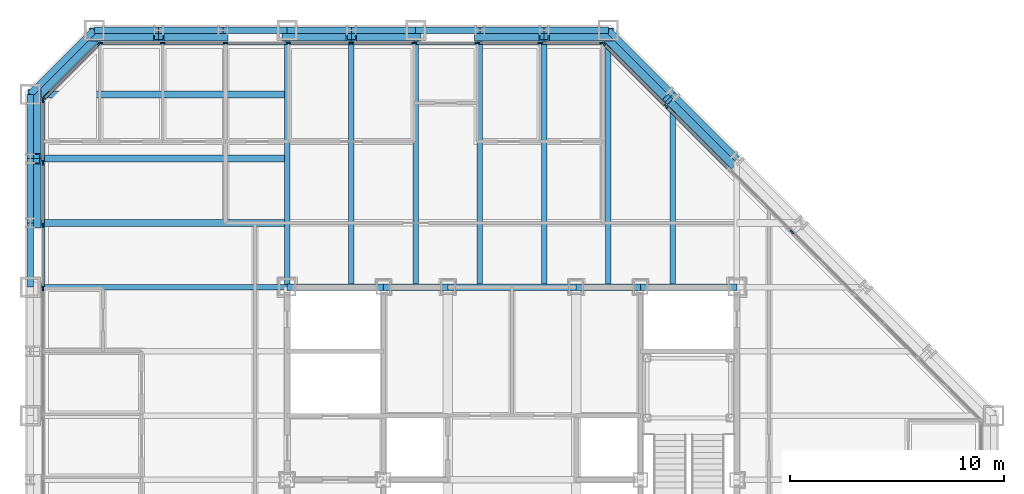
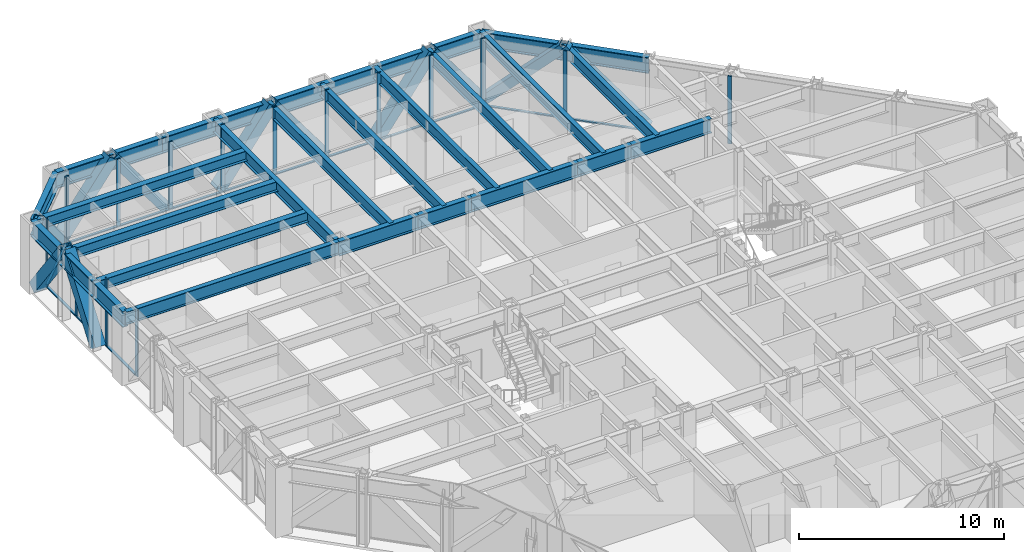
# One storey, part 7 of 16: 43 members, 30 beams, 4 elements without a shape of their own.
"""IFC4 building model written with IfcOpenShell, lengths in metres."""

from ifc_helpers import new_model, si_unit, direction, frame, origin, origin_2d, place, context, subcontext, project, spatial, rectangle, hollow_rectangle, i_section, extrude, material, layer, layer_set, material_profile, profile_set, type_object, element, aggregate, save


model = new_model("IFC4")

# Units and contexts
model_context = context("Model", 3, precision=1e-05, world=origin(), true_north=direction((0.0, 1.0)))
body_context = subcontext(model_context, "Body", "Model", "MODEL_VIEW")
ifc_project = project(units=[si_unit("LENGTHUNIT", "METRE"), si_unit("AREAUNIT", "SQUARE_METRE"), si_unit("VOLUMEUNIT", "CUBIC_METRE"), si_unit("PLANEANGLEUNIT", "RADIAN"), si_unit("MASSUNIT", "GRAM", prefix="KILO")], contexts=[model_context])

# Site, building, storey
site_placement = place(None, origin())
site = spatial("IfcSite", under=ifc_project, at=site_placement, CompositionType="ELEMENT")
building_placement = place(site_placement, origin())
building = spatial("IfcBuilding", under=site, at=building_placement, Name="Chuquiago Exchange Tower", CompositionType="ELEMENT")
storey_placement = place(building_placement, frame((0.0, 0.0, 115.199951171875)))
storey = spatial("IfcBuildingStorey", under=building, at=storey_placement, Name="L24", CompositionType="ELEMENT", Elevation=115.199951171875)

# Beams
ifc_material_1 = material(Name="Steel ASTM A992", Category="steel")
ifc_material_profile_1 = material_profile(ifc_material_1, i_section(OverallWidth=0.25390625, OverallDepth=0.683349609375, WebThickness=0.012451171875, FlangeThickness=0.018798828125, at=origin_2d()), Name="W27X94")
ifc_profile_set_1 = profile_set([ifc_material_profile_1], Name="Steel ASTM A992")
beam_type_1 = type_object("IfcBeamType", Name="B1 W27X94", PredefinedType="BEAM", material=ifc_profile_set_1)
for number, where, z_axis, x_axis, name in (
    (1, (15.0, 33.0, 3.698486328125), (0.0, 1.0, 0.0), (-1.0, 0.0, 0.0), "FB-L25-infill-15_33-15_45-0"),
    (2, (18.0, 33.0, 3.698486328125), (0.0, 1.0, 0.0), (-1.0, 0.0, 0.0), "FB-L25-infill-18_33-18_45-0"),
    (3, (21.0, 33.0, 3.698486328125), (0.0, 1.0, 0.0), (-1.0, 0.0, 0.0), "FB-L25-infill-21_33-21_45-0"),
    (4, (24.0, 33.0, 3.698486328125), (0.0, 1.0, 0.0), (-1.0, 0.0, 0.0), "FB-L25-infill-24_33-24_45-0"),
    (5, (27.0, 33.0, 3.698486328125), (0.0, 1.0, 0.0), (-1.0, 0.0, 0.0), "FB-L25-infill-27_33-27_45-0"),
):
    element("IfcBeam", number, at=place(storey_placement, frame(where, z_axis=z_axis, x_axis=x_axis)), inside=storey, type_object=beam_type_1, Name=name, PredefinedType="BEAM", context=body_context, shape_type="SweptSolid", body=[
        extrude(i_section(OverallWidth=0.25390625, OverallDepth=0.683349609375, WebThickness=0.012451171875, FlangeThickness=0.018798828125, at=origin_2d()), origin(), (0.0, 0.0, 1.0), 12.0),
    ])
beam_1_placement = place(storey_placement, frame((30.0, 33.0, 3.698486328125), z_axis=(0.0, 1.0, 0.0), x_axis=(-1.0, 0.0, 0.0)))
element("IfcBeam", 6, at=beam_1_placement, inside=storey, type_object=beam_type_1, Name="FB-L25-infill-30_33-30_42-0", PredefinedType="BEAM", context=body_context, shape_type="SweptSolid", body=[
    extrude(i_section(OverallWidth=0.25390625, OverallDepth=0.683349609375, WebThickness=0.012451171875, FlangeThickness=0.018798828125, at=origin_2d()), origin(), (0.0, 0.0, 1.0), 9.0),
])
ifc_material_2 = material(Name="Steel ASTM A992", Category="steel")
ifc_material_profile_2 = material_profile(ifc_material_2, i_section(OverallWidth=0.3251953125, OverallDepth=0.612060546875, WebThickness=0.0126953125, FlangeThickness=0.01904296875, at=origin_2d()), Name="W24X104")
ifc_profile_set_2 = profile_set([ifc_material_profile_2], Name="Steel ASTM A992")
beam_type_2 = type_object("IfcBeamType", Name="B2 W24X104", PredefinedType="BEAM", material=ifc_profile_set_2)
for number, where, z_axis, x_axis, name in (
    (7, (12.0, 36.0, 3.73388671875), (-1.0, 0.0, 0.0), (0.0, -1.0, 0.0), "FB-L25-corner-12_36--0_36-0"),
    (8, (12.0, 39.0, 3.73388671875), (-1.0, 0.0, 0.0), (0.0, -1.0, 0.0), "FB-L25-corner-12_39--0_39-0"),
    (9, (12.0, 42.0, 3.73388671875), (-1.0, 0.0, 0.0), (0.0, -1.0, 0.0), "FB-L25-corner-12_42--0_42-0"),
):
    element("IfcBeam", number, at=place(storey_placement, frame(where, z_axis=z_axis, x_axis=x_axis)), inside=storey, type_object=beam_type_2, Name=name, PredefinedType="BEAM", context=body_context, shape_type="SweptSolid", body=[
        extrude(i_section(OverallWidth=0.3251953125, OverallDepth=0.612060546875, WebThickness=0.0126953125, FlangeThickness=0.01904296875, at=origin_2d()), origin(), (0.0, 0.0, 1.0), 12.0),
    ])
ifc_material_3 = material(Name="Steel ASTM A992", Category="steel")
ifc_material_profile_3 = material_profile(ifc_material_3, i_section(OverallWidth=0.2919921875, OverallDepth=0.8583984375, WebThickness=0.01708984375, FlangeThickness=0.031005859375, at=origin_2d()), Name="W33X169")
ifc_profile_set_3 = profile_set([ifc_material_profile_3], Name="Steel ASTM A992")
beam_type_3 = type_object("IfcBeamType", Name="B3 W33X169", PredefinedType="BEAM", material=ifc_profile_set_3)
beam_2_placement = place(storey_placement, frame((12.0, 33.0, 3.61083984375), z_axis=(1.0, 0.0, 0.0), x_axis=(0.0, 1.0, 0.0)))
element("IfcBeam", 10, at=beam_2_placement, inside=storey, type_object=beam_type_3, Name="CB-L25-12_33-16.5_33", PredefinedType="BEAM", context=body_context, shape_type="SweptSolid", body=[
    extrude(i_section(OverallWidth=0.2919921875, OverallDepth=0.8583984375, WebThickness=0.01708984375, FlangeThickness=0.031005859375, at=origin_2d()), origin(), (0.0, 0.0, 1.0), 4.5),
])
beam_3_placement = place(storey_placement, frame((16.5, 33.0, 3.61083984375), z_axis=(1.0, 0.0, 0.0), x_axis=(0.0, 1.0, 0.0)))
element("IfcBeam", 11, at=beam_3_placement, inside=storey, type_object=beam_type_3, Name="CB-L25-16.5_33-19.5_33", PredefinedType="BEAM", context=body_context, shape_type="SweptSolid", body=[
    extrude(i_section(OverallWidth=0.2919921875, OverallDepth=0.8583984375, WebThickness=0.01708984375, FlangeThickness=0.031005859375, at=origin_2d()), origin(), (0.0, 0.0, 1.0), 3.0),
])
beam_4_placement = place(storey_placement, frame((19.5, 33.0, 3.61083984375), z_axis=(1.0, 0.0, 0.0), x_axis=(0.0, 1.0, 0.0)))
element("IfcBeam", 12, at=beam_4_placement, inside=storey, type_object=beam_type_3, Name="CB-L25-19.5_33-25.5_33", PredefinedType="BEAM", context=body_context, shape_type="SweptSolid", body=[
    extrude(i_section(OverallWidth=0.2919921875, OverallDepth=0.8583984375, WebThickness=0.01708984375, FlangeThickness=0.031005859375, at=origin_2d()), origin(), (0.0, 0.0, 1.0), 6.0),
])
beam_5_placement = place(storey_placement, frame((25.5, 33.0, 3.61083984375), z_axis=(1.0, 0.0, 0.0), x_axis=(0.0, 1.0, 0.0)))
element("IfcBeam", 13, at=beam_5_placement, inside=storey, type_object=beam_type_3, Name="CB-L25-25.5_33-28.5_33", PredefinedType="BEAM", context=body_context, shape_type="SweptSolid", body=[
    extrude(i_section(OverallWidth=0.2919921875, OverallDepth=0.8583984375, WebThickness=0.01708984375, FlangeThickness=0.031005859375, at=origin_2d()), origin(), (0.0, 0.0, 1.0), 3.0),
])
beam_6_placement = place(storey_placement, frame((28.5, 33.0, 3.61083984375), z_axis=(1.0, 0.0, 0.0), x_axis=(0.0, 1.0, 0.0)))
element("IfcBeam", 14, at=beam_6_placement, inside=storey, type_object=beam_type_3, Name="CB-L25-28.5_33-33_33", PredefinedType="BEAM", context=body_context, shape_type="SweptSolid", body=[
    extrude(i_section(OverallWidth=0.2919921875, OverallDepth=0.8583984375, WebThickness=0.01708984375, FlangeThickness=0.031005859375, at=origin_2d()), origin(), (0.0, 0.0, 1.0), 4.5),
])

# Curtain wall, members
ifc_material_4 = material(Name="Aluminium curtain wall system", Category="aluminium")
ifc_layer_1 = layer(ifc_material_4, 0.22509765625)
ifc_layer_set_1 = layer_set([ifc_layer_1], Name="CW2 office curtain wall")
curtain_wall_type_1 = type_object("IfcCurtainWallType", Name="CW2 office curtain wall", PredefinedType="NOTDEFINED", material=ifc_layer_set_1)
curtain_wall_1_placement = place(storey_placement, origin())
curtain_wall_1 = element("IfcCurtainWall", 15, at=curtain_wall_1_placement, inside=storey, type_object=curtain_wall_type_1, Name="CW2 curtain wall L24", PredefinedType="NOTDEFINED")
ifc_material_5 = material(Name="Aluminium mullion, pale anodised", Category="aluminium")
ifc_material_profile_4 = material_profile(ifc_material_5, rectangle(XDim=0.06494140625, YDim=0.22509765625, at=origin_2d()), Name="AL 65x225")
ifc_profile_set_4 = profile_set([ifc_material_profile_4], Name="Aluminium mullion, pale anodised")
member_type_1 = type_object("IfcMemberType", Name="CW2-M mullion 65x225", PredefinedType="MULLION", material=ifc_profile_set_4)
member_1_placement = place(storey_placement, frame((26.718994140625, 44.39990234375, 0.0), z_axis=(0.0, 0.0, 1.0), x_axis=(0.0, -1.0, 0.0)))
member_1 = element("IfcMember", 16, at=member_1_placement, type_object=member_type_1, Name="CW2 mullion 1", PredefinedType="MULLION", context=body_context, shape_type="SweptSolid", body=[
    extrude(rectangle(XDim=0.06494140625, YDim=0.22509765625, at=origin_2d()), origin(), (0.0, 0.0, 1.0), 4.0400390625),
])
member_2_placement = place(storey_placement, frame((23.813720703125, 44.39990234375, 0.0), z_axis=(0.0, 0.0, 1.0), x_axis=(0.0, -1.0, 0.0)))
member_2 = element("IfcMember", 17, at=member_2_placement, type_object=member_type_1, Name="CW2 mullion 2", PredefinedType="MULLION", context=body_context, shape_type="SweptSolid", body=[
    extrude(rectangle(XDim=0.06494140625, YDim=0.22509765625, at=origin_2d()), origin(), (0.0, 0.0, 1.0), 4.0400390625),
])
member_3_placement = place(storey_placement, frame((20.875732421875, 44.39990234375, 0.0), z_axis=(0.0, 0.0, 1.0), x_axis=(0.0, -1.0, 0.0)))
member_3 = element("IfcMember", 18, at=member_3_placement, type_object=member_type_1, Name="CW2 mullion 3", PredefinedType="MULLION", context=body_context, shape_type="SweptSolid", body=[
    extrude(rectangle(XDim=0.06494140625, YDim=0.22509765625, at=origin_2d()), origin(), (0.0, 0.0, 1.0), 4.0400390625),
])
member_4_placement = place(storey_placement, frame((17.93798828125, 44.39990234375, 0.0), z_axis=(0.0, 0.0, 1.0), x_axis=(0.0, -1.0, 0.0)))
member_4 = element("IfcMember", 19, at=member_4_placement, type_object=member_type_1, Name="CW2 mullion 4", PredefinedType="MULLION", context=body_context, shape_type="SweptSolid", body=[
    extrude(rectangle(XDim=0.06494140625, YDim=0.22509765625, at=origin_2d()), origin(), (0.0, 0.0, 1.0), 4.0400390625),
])
member_5_placement = place(storey_placement, frame((15.0, 44.39990234375, 0.0), z_axis=(0.0, 0.0, 1.0), x_axis=(0.0, -1.0, 0.0)))
member_5 = element("IfcMember", 20, at=member_5_placement, type_object=member_type_1, Name="CW2 mullion 5", PredefinedType="MULLION", context=body_context, shape_type="SweptSolid", body=[
    extrude(rectangle(XDim=0.06494140625, YDim=0.22509765625, at=origin_2d()), origin(), (0.0, 0.0, 1.0), 4.0400390625),
])
member_6_placement = place(storey_placement, frame((12.06201171875, 44.39990234375, 0.0), z_axis=(0.0, 0.0, 1.0), x_axis=(0.0, -1.0, 0.0)))
member_6 = element("IfcMember", 21, at=member_6_placement, type_object=member_type_1, Name="CW2 mullion 6", PredefinedType="MULLION", context=body_context, shape_type="SweptSolid", body=[
    extrude(rectangle(XDim=0.06494140625, YDim=0.22509765625, at=origin_2d()), origin(), (0.0, 0.0, 1.0), 4.0400390625),
])
member_7_placement = place(storey_placement, frame((9.124267578125, 44.39990234375, 0.0), z_axis=(0.0, 0.0, 1.0), x_axis=(0.0, -1.0, 0.0)))
member_7 = element("IfcMember", 22, at=member_7_placement, type_object=member_type_1, Name="CW2 mullion 7", PredefinedType="MULLION", context=body_context, shape_type="SweptSolid", body=[
    extrude(rectangle(XDim=0.06494140625, YDim=0.22509765625, at=origin_2d()), origin(), (0.0, 0.0, 1.0), 4.0400390625),
])
member_8_placement = place(storey_placement, frame((6.186279296875, 44.39990234375, 0.0), z_axis=(0.0, 0.0, 1.0), x_axis=(0.0, -1.0, 0.0)))
member_8 = element("IfcMember", 23, at=member_8_placement, type_object=member_type_1, Name="CW2 mullion 8", PredefinedType="MULLION", context=body_context, shape_type="SweptSolid", body=[
    extrude(rectangle(XDim=0.06494140625, YDim=0.22509765625, at=origin_2d()), origin(), (0.0, 0.0, 1.0), 4.0400390625),
])
member_9_placement = place(storey_placement, frame((3.281005859375, 44.39990234375, 0.0), z_axis=(0.0, 0.0, 1.0), x_axis=(0.0, -1.0, 0.0)))
member_9 = element("IfcMember", 24, at=member_9_placement, type_object=member_type_1, Name="CW2 mullion 9", PredefinedType="MULLION", context=body_context, shape_type="SweptSolid", body=[
    extrude(rectangle(XDim=0.06494140625, YDim=0.22509765625, at=origin_2d()), origin(), (0.0, 0.0, 1.0), 4.0400390625),
])

curtain_wall_2_placement = place(storey_placement, origin())
curtain_wall_2 = element("IfcCurtainWall", 25, at=curtain_wall_2_placement, inside=storey, type_object=curtain_wall_type_1, Name="CW2 curtain wall L24", PredefinedType="NOTDEFINED")
member_10_placement = place(storey_placement, frame((0.60009765625, 41.718994140625, 0.0), z_axis=(0.0, 0.0, 1.0), x_axis=(1.0, 0.0, 0.0)))
member_10 = element("IfcMember", 26, at=member_10_placement, type_object=member_type_1, Name="CW2 mullion 1", PredefinedType="MULLION", context=body_context, shape_type="SweptSolid", body=[
    extrude(rectangle(XDim=0.06494140625, YDim=0.22509765625, at=origin_2d()), origin(), (0.0, 0.0, 1.0), 4.0400390625),
])
member_11_placement = place(storey_placement, frame((0.60009765625, 38.813720703125, 0.0), z_axis=(0.0, 0.0, 1.0), x_axis=(1.0, 0.0, 0.0)))
member_11 = element("IfcMember", 27, at=member_11_placement, type_object=member_type_1, Name="CW2 mullion 2", PredefinedType="MULLION", context=body_context, shape_type="SweptSolid", body=[
    extrude(rectangle(XDim=0.06494140625, YDim=0.22509765625, at=origin_2d()), origin(), (0.0, 0.0, 1.0), 4.0400390625),
])
member_12_placement = place(storey_placement, frame((0.60009765625, 35.875732421875, 0.0), z_axis=(0.0, 0.0, 1.0), x_axis=(1.0, 0.0, 0.0)))
member_12 = element("IfcMember", 28, at=member_12_placement, type_object=member_type_1, Name="CW2 mullion 3", PredefinedType="MULLION", context=body_context, shape_type="SweptSolid", body=[
    extrude(rectangle(XDim=0.06494140625, YDim=0.22509765625, at=origin_2d()), origin(), (0.0, 0.0, 1.0), 4.0400390625),
])
member_13_placement = place(storey_placement, frame((0.60009765625, 32.93798828125, 0.0), z_axis=(0.0, 0.0, 1.0), x_axis=(1.0, 0.0, 0.0)))
member_13 = element("IfcMember", 29, at=member_13_placement, type_object=member_type_1, Name="CW2 mullion 4", PredefinedType="MULLION", context=body_context, shape_type="SweptSolid", body=[
    extrude(rectangle(XDim=0.06494140625, YDim=0.22509765625, at=origin_2d()), origin(), (0.0, 0.0, 1.0), 4.0400390625),
])

# Member
ifc_material_6 = material(Name="Aluminium transom, pale anodised", Category="aluminium")
ifc_material_profile_5 = material_profile(ifc_material_6, rectangle(XDim=0.139892578125, YDim=0.06494140625, at=origin_2d()), Name="AL 140x65")
ifc_profile_set_5 = profile_set([ifc_material_profile_5], Name="Aluminium transom, pale anodised")
member_type_2 = type_object("IfcMemberType", Name="CW2-T transom 65x140", PredefinedType="MULLION", material=ifc_profile_set_5)
member_14_placement = place(storey_placement, frame((26.6865234375, 44.39990234375, 0.032470703125), z_axis=(-1.0, 0.0, 0.0), x_axis=(0.0, -1.0, 0.0)))
member_14 = element("IfcMember", 30, at=member_14_placement, type_object=member_type_2, Name="CW2 transom 1.1", PredefinedType="MULLION", context=body_context, shape_type="SweptSolid", body=[
    extrude(rectangle(XDim=0.139892578125, YDim=0.06494140625, at=origin_2d()), origin(), (0.0, 0.0, 1.0), 2.84033203125),
])

member_15_placement = place(storey_placement, frame((23.781005859375, 44.39990234375, 0.032470703125), z_axis=(-1.0, 0.0, 0.0), x_axis=(0.0, -1.0, 0.0)))
member_15 = element("IfcMember", 31, at=member_15_placement, type_object=member_type_2, Name="CW2 transom 2.1", PredefinedType="MULLION", context=body_context, shape_type="SweptSolid", body=[
    extrude(rectangle(XDim=0.139892578125, YDim=0.06494140625, at=origin_2d()), origin(), (0.0, 0.0, 1.0), 2.872802734375),
])

member_16_placement = place(storey_placement, frame((20.84326171875, 44.39990234375, 0.032470703125), z_axis=(-1.0, 0.0, 0.0), x_axis=(0.0, -1.0, 0.0)))
member_16 = element("IfcMember", 32, at=member_16_placement, type_object=member_type_2, Name="CW2 transom 3.1", PredefinedType="MULLION", context=body_context, shape_type="SweptSolid", body=[
    extrude(rectangle(XDim=0.139892578125, YDim=0.06494140625, at=origin_2d()), origin(), (0.0, 0.0, 1.0), 2.872802734375),
])

member_17_placement = place(storey_placement, frame((17.9052734375, 44.39990234375, 0.032470703125), z_axis=(-1.0, 0.0, 0.0), x_axis=(0.0, -1.0, 0.0)))
member_17 = element("IfcMember", 33, at=member_17_placement, type_object=member_type_2, Name="CW2 transom 4.1", PredefinedType="MULLION", context=body_context, shape_type="SweptSolid", body=[
    extrude(rectangle(XDim=0.139892578125, YDim=0.06494140625, at=origin_2d()), origin(), (0.0, 0.0, 1.0), 2.872802734375),
])

member_18_placement = place(storey_placement, frame((14.967529296875, 44.39990234375, 0.032470703125), z_axis=(-1.0, 0.0, 0.0), x_axis=(0.0, -1.0, 0.0)))
member_18 = element("IfcMember", 34, at=member_18_placement, type_object=member_type_2, Name="CW2 transom 5.1", PredefinedType="MULLION", context=body_context, shape_type="SweptSolid", body=[
    extrude(rectangle(XDim=0.139892578125, YDim=0.06494140625, at=origin_2d()), origin(), (0.0, 0.0, 1.0), 2.872802734375),
])

member_19_placement = place(storey_placement, frame((12.029541015625, 44.39990234375, 0.032470703125), z_axis=(-1.0, 0.0, 0.0), x_axis=(0.0, -1.0, 0.0)))
member_19 = element("IfcMember", 35, at=member_19_placement, type_object=member_type_2, Name="CW2 transom 6.1", PredefinedType="MULLION", context=body_context, shape_type="SweptSolid", body=[
    extrude(rectangle(XDim=0.139892578125, YDim=0.06494140625, at=origin_2d()), origin(), (0.0, 0.0, 1.0), 2.872802734375),
])

member_20_placement = place(storey_placement, frame((9.091796875, 44.39990234375, 0.032470703125), z_axis=(-1.0, 0.0, 0.0), x_axis=(0.0, -1.0, 0.0)))
member_20 = element("IfcMember", 36, at=member_20_placement, type_object=member_type_2, Name="CW2 transom 7.1", PredefinedType="MULLION", context=body_context, shape_type="SweptSolid", body=[
    extrude(rectangle(XDim=0.139892578125, YDim=0.06494140625, at=origin_2d()), origin(), (0.0, 0.0, 1.0), 2.872802734375),
])

member_21_placement = place(storey_placement, frame((6.15380859375, 44.39990234375, 0.032470703125), z_axis=(-1.0, 0.0, 0.0), x_axis=(0.0, -1.0, 0.0)))
member_21 = element("IfcMember", 37, at=member_21_placement, type_object=member_type_2, Name="CW2 transom 8.1", PredefinedType="MULLION", context=body_context, shape_type="SweptSolid", body=[
    extrude(rectangle(XDim=0.139892578125, YDim=0.06494140625, at=origin_2d()), origin(), (0.0, 0.0, 1.0), 2.84033203125),
])

aggregate(curtain_wall_1, [member_1, member_2, member_3, member_4, member_5, member_6, member_7, member_8, member_9, member_14, member_15, member_16, member_17, member_18, member_19, member_20, member_21])

member_22_placement = place(storey_placement, frame((0.60009765625, 41.6865234375, 0.032470703125), z_axis=(0.0, -1.0, 0.0), x_axis=(1.0, 0.0, 0.0)))
member_22 = element("IfcMember", 38, at=member_22_placement, type_object=member_type_2, Name="CW2 transom 1.1", PredefinedType="MULLION", context=body_context, shape_type="SweptSolid", body=[
    extrude(rectangle(XDim=0.139892578125, YDim=0.06494140625, at=origin_2d()), origin(), (0.0, 0.0, 1.0), 2.84033203125),
])

member_23_placement = place(storey_placement, frame((0.60009765625, 38.781005859375, 0.032470703125), z_axis=(0.0, -1.0, 0.0), x_axis=(1.0, 0.0, 0.0)))
member_23 = element("IfcMember", 39, at=member_23_placement, type_object=member_type_2, Name="CW2 transom 2.1", PredefinedType="MULLION", context=body_context, shape_type="SweptSolid", body=[
    extrude(rectangle(XDim=0.139892578125, YDim=0.06494140625, at=origin_2d()), origin(), (0.0, 0.0, 1.0), 2.872802734375),
])

member_24_placement = place(storey_placement, frame((0.60009765625, 35.84326171875, 0.032470703125), z_axis=(0.0, -1.0, 0.0), x_axis=(1.0, 0.0, 0.0)))
member_24 = element("IfcMember", 40, at=member_24_placement, type_object=member_type_2, Name="CW2 transom 3.1", PredefinedType="MULLION", context=body_context, shape_type="SweptSolid", body=[
    extrude(rectangle(XDim=0.139892578125, YDim=0.06494140625, at=origin_2d()), origin(), (0.0, 0.0, 1.0), 2.872802734375),
])

aggregate(curtain_wall_2, [member_10, member_11, member_12, member_13, member_22, member_23, member_24])

# Curtain wall, members
ifc_material_7 = material(Name="Aluminium curtain wall system", Category="aluminium")
ifc_layer_2 = layer(ifc_material_7, 0.199951171875)
ifc_layer_set_2 = layer_set([ifc_layer_2], Name="CW3 facet curtain wall")
curtain_wall_type_2 = type_object("IfcCurtainWallType", Name="CW3 facet curtain wall", PredefinedType="NOTDEFINED", material=ifc_layer_set_2)
curtain_wall_3_placement = place(storey_placement, origin())
curtain_wall_3 = element("IfcCurtainWall", 41, at=curtain_wall_3_placement, inside=storey, type_object=curtain_wall_type_2, Name="CW3 curtain wall L24", PredefinedType="NOTDEFINED")
ifc_material_8 = material(Name="Aluminium mullion, pale anodised", Category="aluminium")
ifc_material_profile_6 = material_profile(ifc_material_8, rectangle(XDim=0.06494140625, YDim=0.199951171875, at=origin_2d()), Name="AL 65x200")
ifc_profile_set_6 = profile_set([ifc_material_profile_6], Name="Aluminium mullion, pale anodised")
member_type_3 = type_object("IfcMemberType", Name="CW3-M mullion 65x200", PredefinedType="MULLION", material=ifc_profile_set_6)
member_25_placement = place(storey_placement, frame((35.57568359375, 35.57568359375, 0.0), z_axis=(0.0, 0.0, 1.0), x_axis=(-0.707106781187, -0.707106781187, 0.0)))
member_25 = element("IfcMember", 42, at=member_25_placement, type_object=member_type_3, Name="CW3 mullion 4", PredefinedType="MULLION", context=body_context, shape_type="SweptSolid", body=[
    extrude(rectangle(XDim=0.06494140625, YDim=0.199951171875, at=origin_2d()), origin(), (0.0, 0.0, 1.0), 4.0400390625),
])
member_26_placement = place(storey_placement, frame((29.69287109375, 41.45849609375, 0.0), z_axis=(0.0, 0.0, 1.0), x_axis=(-0.707106781187, -0.707106781187, 0.0)))
member_26 = element("IfcMember", 43, at=member_26_placement, type_object=member_type_3, Name="CW3 mullion 6", PredefinedType="MULLION", context=body_context, shape_type="SweptSolid", body=[
    extrude(rectangle(XDim=0.06494140625, YDim=0.199951171875, at=origin_2d()), origin(), (0.0, 0.0, 1.0), 4.0400390625),
])
member_27_placement = place(storey_placement, frame((26.7744140625, 44.376953125, 0.0), z_axis=(0.0, 0.0, 1.0), x_axis=(-0.707106781187, -0.707106781187, 0.0)))
member_27 = element("IfcMember", 44, at=member_27_placement, type_object=member_type_3, Name="CW3 mullion 7", PredefinedType="MULLION", context=body_context, shape_type="SweptSolid", body=[
    extrude(rectangle(XDim=0.06494140625, YDim=0.199951171875, at=origin_2d()), origin(), (0.0, 0.0, 1.0), 4.0400390625),
])

curtain_wall_4_placement = place(storey_placement, origin())
curtain_wall_4 = element("IfcCurtainWall", 45, at=curtain_wall_4_placement, inside=storey, type_object=curtain_wall_type_2, Name="CW3 curtain wall L24", PredefinedType="NOTDEFINED")
member_28_placement = place(storey_placement, frame((3.2255859375, 44.376953125, 0.0), z_axis=(0.0, 0.0, 1.0), x_axis=(0.707106781187, -0.707106781187, 0.0)))
member_28 = element("IfcMember", 46, at=member_28_placement, type_object=member_type_3, Name="CW3 mullion 1", PredefinedType="MULLION", context=body_context, shape_type="SweptSolid", body=[
    extrude(rectangle(XDim=0.06494140625, YDim=0.199951171875, at=origin_2d()), origin(), (0.0, 0.0, 1.0), 4.0400390625),
])
member_29_placement = place(storey_placement, frame((0.623046875, 41.7744140625, 0.0), z_axis=(0.0, 0.0, 1.0), x_axis=(0.707106781187, -0.707106781187, 0.0)))
member_29 = element("IfcMember", 47, at=member_29_placement, type_object=member_type_3, Name="CW3 mullion 2", PredefinedType="MULLION", context=body_context, shape_type="SweptSolid", body=[
    extrude(rectangle(XDim=0.06494140625, YDim=0.199951171875, at=origin_2d()), origin(), (0.0, 0.0, 1.0), 4.0400390625),
])

# Member
ifc_material_9 = material(Name="Aluminium transom, pale anodised", Category="aluminium")
ifc_material_profile_7 = material_profile(ifc_material_9, rectangle(XDim=0.139892578125, YDim=0.06494140625, at=origin_2d()), Name="AL 140x65")
ifc_profile_set_7 = profile_set([ifc_material_profile_7], Name="Aluminium transom, pale anodised")
member_type_4 = type_object("IfcMemberType", Name="CW3-T transom 65x140", PredefinedType="MULLION", material=ifc_profile_set_7)
member_30_placement = place(storey_placement, frame((32.611328125, 38.5400390625, 0.032470703125), z_axis=(-0.707106781187, 0.707106781187, 0.0), x_axis=(-0.707106781187, -0.707106781187, 0.0)))
member_30 = element("IfcMember", 48, at=member_30_placement, type_object=member_type_4, Name="CW3 transom 5.1", PredefinedType="MULLION", context=body_context, shape_type="SweptSolid", body=[
    extrude(rectangle(XDim=0.139892578125, YDim=0.06494140625, at=origin_2d()), origin(), (0.0, 0.0, 1.0), 4.094970703125),
])

member_31_placement = place(storey_placement, frame((29.669921875, 41.4814453125, 0.032470703125), z_axis=(-0.707106781187, 0.707106781187, 0.0), x_axis=(-0.707106781187, -0.707106781187, 0.0)))
member_31 = element("IfcMember", 49, at=member_31_placement, type_object=member_type_4, Name="CW3 transom 6.1", PredefinedType="MULLION", context=body_context, shape_type="SweptSolid", body=[
    extrude(rectangle(XDim=0.139892578125, YDim=0.06494140625, at=origin_2d()), origin(), (0.0, 0.0, 1.0), 4.0625),
])

aggregate(curtain_wall_3, [member_25, member_26, member_27, member_30, member_31])

member_32_placement = place(storey_placement, frame((3.20263671875, 44.35400390625, 0.032470703125), z_axis=(-0.707106781187, -0.707106781187, 0.0), x_axis=(0.707106781187, -0.707106781187, 0.0)))
member_32 = element("IfcMember", 50, at=member_32_placement, type_object=member_type_4, Name="CW3 transom 1.1", PredefinedType="MULLION", context=body_context, shape_type="SweptSolid", body=[
    extrude(rectangle(XDim=0.139892578125, YDim=0.06494140625, at=origin_2d()), origin(), (0.0, 0.0, 1.0), 3.61572265625),
])

aggregate(curtain_wall_4, [member_28, member_29, member_32])

# Beams
ifc_material_10 = material(Name="Steel ASTM A992", Category="steel")
ifc_material_profile_8 = material_profile(ifc_material_10, i_section(OverallWidth=0.2666015625, OverallDepth=0.76953125, WebThickness=0.015625, FlangeThickness=0.025390625, at=origin_2d()), Name="W30X132")
ifc_profile_set_8 = profile_set([ifc_material_profile_8], Name="Steel ASTM A992")
beam_type_4 = type_object("IfcBeamType", Name="G1 W30X132", PredefinedType="BEAM", material=ifc_profile_set_8)
for number, where, z_axis, x_axis, name in (
    (51, (12.0, 33.0, 3.6552734375), (0.0, 1.0, 0.0), (-1.0, 0.0, 0.0), "FB-L25-girder-12_33-12_45-0"),
    (52, (12.0, 33.0, 3.6552734375), (-1.0, 0.0, 0.0), (0.0, -1.0, 0.0), "FB-L25-girder-12_33--0_33-0"),
):
    element("IfcBeam", number, at=place(storey_placement, frame(where, z_axis=z_axis, x_axis=x_axis)), inside=storey, type_object=beam_type_4, Name=name, PredefinedType="BEAM", context=body_context, shape_type="SweptSolid", body=[
        extrude(i_section(OverallWidth=0.2666015625, OverallDepth=0.76953125, WebThickness=0.015625, FlangeThickness=0.025390625, at=origin_2d()), origin(), (0.0, 0.0, 1.0), 12.0),
    ])

# Members
ifc_material_11 = material(Name="Steel ASTM A500 Grade C", Category="steel")
ifc_material_profile_9 = material_profile(ifc_material_11, hollow_rectangle(XDim=0.508056640625, YDim=0.508056640625, WallThickness=0.017822265625, at=origin_2d()), Name="HSS20X20X3/4")
ifc_profile_set_9 = profile_set([ifc_material_profile_9], Name="Steel ASTM A500 Grade C")
member_type_5 = type_object("IfcMemberType", Name="LB1 HSS20X20X3/4", PredefinedType="BRACE", material=ifc_profile_set_9)
for number, where, z_axis, x_axis, name in (
    (53, (32.822509765625, 38.822509765625, 0.0), (-0.512077265487, 0.512077265487, 0.689604051861), (-0.707106781187, -0.707106781187, 0.0), "LB-L24-33_39-30_42"),
    (54, (26.822509765625, 44.822509765625, 0.0), (0.512077265487, -0.512077265487, 0.689604051861), (0.707106781187, 0.707106781187, 0.0), "LB-L24-30_42-27_45"),
    (55, (3.177490234375, 44.822509765625, 0.0), (-0.512077265487, -0.512077265487, 0.689604051861), (0.707106781187, -0.707106781187, 0.0), "LB-L24-3_45-0_42"),
):
    element("IfcMember", number, at=place(storey_placement, frame(where, z_axis=z_axis, x_axis=x_axis)), inside=storey, type_object=member_type_5, Name=name, PredefinedType="BRACE", context=body_context, shape_type="SweptSolid", body=[
        extrude(hollow_rectangle(XDim=0.508056640625, YDim=0.508056640625, WallThickness=0.017822265625, at=origin_2d()), origin(), (0.0, 0.0, 1.0), 5.8583984375),
    ])
ifc_material_12 = material(Name="Steel ASTM A572 Grade 50", Category="steel")
ifc_material_profile_10 = material_profile(ifc_material_12, hollow_rectangle(XDim=0.60009765625, YDim=0.60009765625, WallThickness=0.06005859375, at=origin_2d()), Name="BOX600X600X60")
ifc_profile_set_10 = profile_set([ifc_material_profile_10], Name="Steel ASTM A572 Grade 50")
member_type_6 = type_object("IfcMemberType", Name="MB2 BOX600X600X60", PredefinedType="BRACE", material=ifc_profile_set_10)
for number, where, z_axis, x_axis, name in (
    (56, (27.0, 44.794921875, 0.0), (-0.596173923302, 0.0, 0.802855312728), (0.0, -1.0, 0.0), "Mega diagonal L24 N face"),
    (57, (21.0, 44.794921875, 0.0), (0.596173923302, 0.0, 0.802855312728), (0.0, 1.0, 0.0), "Mega diagonal L24 N face"),
    (58, (18.0, 44.794921875, 0.0), (-0.596173923302, 0.0, 0.802855312728), (0.0, -1.0, 0.0), "Mega diagonal L24 N face"),
    (59, (12.0, 44.794921875, 0.0), (0.596173923302, 0.0, 0.802855312728), (0.0, 1.0, 0.0), "Mega diagonal L24 N face"),
    (60, (9.0, 44.794921875, 0.0), (-0.596173923302, 0.0, 0.802855312728), (0.0, -1.0, 0.0), "Mega diagonal L24 N face"),
    (61, (3.0, 44.794921875, 0.0), (0.596173923302, 0.0, 0.802855312728), (0.0, 1.0, 0.0), "Mega diagonal L24 N face"),
    (62, (0.205078125, 42.0, 0.0), (0.0, -0.596173923302, 0.802855312728), (1.0, 0.0, 0.0), "Mega diagonal L24 W face"),
    (63, (0.205078125, 36.0, 0.0), (0.0, 0.596173923302, 0.802855312728), (-1.0, 0.0, 0.0), "Mega diagonal L24 W face"),
):
    element("IfcMember", number, at=place(storey_placement, frame(where, z_axis=z_axis, x_axis=x_axis)), inside=storey, type_object=member_type_6, Name=name, PredefinedType="BRACE", context=body_context, shape_type="SweptSolid", body=[
        extrude(hollow_rectangle(XDim=0.60009765625, YDim=0.60009765625, WallThickness=0.06005859375, at=origin_2d()), origin(), (0.0, 0.0, 1.0), 5.031982421875),
    ])

# Beams
ifc_material_13 = material(Name="Steel ASTM A992", Category="steel")
ifc_material_profile_11 = material_profile(ifc_material_13, i_section(OverallWidth=0.309814453125, OverallDepth=0.949951171875, WebThickness=0.0244140625, FlangeThickness=0.0439453125, at=origin_2d()), Name="W36X256")
ifc_profile_set_11 = profile_set([ifc_material_profile_11], Name="Steel ASTM A992")
beam_type_5 = type_object("IfcBeamType", Name="SP2 W36X256", PredefinedType="SPANDREL", material=ifc_profile_set_11)
for number, where, z_axis, x_axis, name in (
    (64, (33.0, 39.0, 3.56494140625), (-0.707106781187, 0.707106781187, 0.0), (-0.707106781187, -0.707106781187, 0.0), "SPB-L25-33_39-30_42"),
    (65, (30.0, 42.0, 3.56494140625), (-0.707106781187, 0.707106781187, 0.0), (-0.707106781187, -0.707106781187, 0.0), "SPB-L25-30_42-27_45"),
):
    element("IfcBeam", number, at=place(storey_placement, frame(where, z_axis=z_axis, x_axis=x_axis)), inside=storey, type_object=beam_type_5, Name=name, PredefinedType="SPANDREL", context=body_context, shape_type="SweptSolid", body=[
        extrude(i_section(OverallWidth=0.309814453125, OverallDepth=0.949951171875, WebThickness=0.0244140625, FlangeThickness=0.0439453125, at=origin_2d()), origin(), (0.0, 0.0, 1.0), 4.24267578125),
    ])
for number, where, z_axis, x_axis, name in (
    (66, (27.0, 45.0, 3.56494140625), (-1.0, 0.0, 0.0), (0.0, -1.0, 0.0), "SPB-L25-27_45-24_45"),
    (67, (24.0, 45.0, 3.56494140625), (-1.0, 0.0, 0.0), (0.0, -1.0, 0.0), "SPB-L25-24_45-21_45"),
    (68, (21.0, 45.0, 3.56494140625), (-1.0, 0.0, 0.0), (0.0, -1.0, 0.0), "SPB-L25-21_45-18_45"),
    (69, (18.0, 45.0, 3.56494140625), (-1.0, 0.0, 0.0), (0.0, -1.0, 0.0), "SPB-L25-18_45-15_45"),
    (70, (15.0, 45.0, 3.56494140625), (-1.0, 0.0, 0.0), (0.0, -1.0, 0.0), "SPB-L25-15_45-12_45"),
    (71, (12.0, 45.0, 3.56494140625), (-1.0, 0.0, 0.0), (0.0, -1.0, 0.0), "SPB-L25-12_45-9_45"),
    (72, (9.0, 45.0, 3.56494140625), (-1.0, 0.0, 0.0), (0.0, -1.0, 0.0), "SPB-L25-9_45-6_45"),
    (73, (6.0, 45.0, 3.56494140625), (-1.0, 0.0, 0.0), (0.0, -1.0, 0.0), "SPB-L25-6_45-3_45"),
):
    element("IfcBeam", number, at=place(storey_placement, frame(where, z_axis=z_axis, x_axis=x_axis)), inside=storey, type_object=beam_type_5, Name=name, PredefinedType="SPANDREL", context=body_context, shape_type="SweptSolid", body=[
        extrude(i_section(OverallWidth=0.309814453125, OverallDepth=0.949951171875, WebThickness=0.0244140625, FlangeThickness=0.0439453125, at=origin_2d()), origin(), (0.0, 0.0, 1.0), 3.0),
    ])
beam_7_placement = place(storey_placement, frame((3.0, 45.0, 3.56494140625), z_axis=(-0.707106781187, -0.707106781187, 0.0), x_axis=(0.707106781187, -0.707106781187, 0.0)))
element("IfcBeam", 74, at=beam_7_placement, inside=storey, type_object=beam_type_5, Name="SPB-L25-3_45-0_42", PredefinedType="SPANDREL", context=body_context, shape_type="SweptSolid", body=[
    extrude(i_section(OverallWidth=0.309814453125, OverallDepth=0.949951171875, WebThickness=0.0244140625, FlangeThickness=0.0439453125, at=origin_2d()), origin(), (0.0, 0.0, 1.0), 4.24267578125),
])
for number, where, z_axis, x_axis, name in (
    (75, (0.0, 42.0, 3.56494140625), (0.0, -1.0, 0.0), (1.0, 0.0, 0.0), "SPB-L25-0_42-0_39"),
    (76, (0.0, 39.0, 3.56494140625), (0.0, -1.0, 0.0), (1.0, 0.0, 0.0), "SPB-L25-0_39-0_36"),
    (77, (0.0, 36.0, 3.56494140625), (0.0, -1.0, 0.0), (1.0, 0.0, 0.0), "SPB-L25-0_36-0_33"),
):
    element("IfcBeam", number, at=place(storey_placement, frame(where, z_axis=z_axis, x_axis=x_axis)), inside=storey, type_object=beam_type_5, Name=name, PredefinedType="SPANDREL", context=body_context, shape_type="SweptSolid", body=[
        extrude(i_section(OverallWidth=0.309814453125, OverallDepth=0.949951171875, WebThickness=0.0244140625, FlangeThickness=0.0439453125, at=origin_2d()), origin(), (0.0, 0.0, 1.0), 3.0),
    ])

save(model, "model.ifc")
